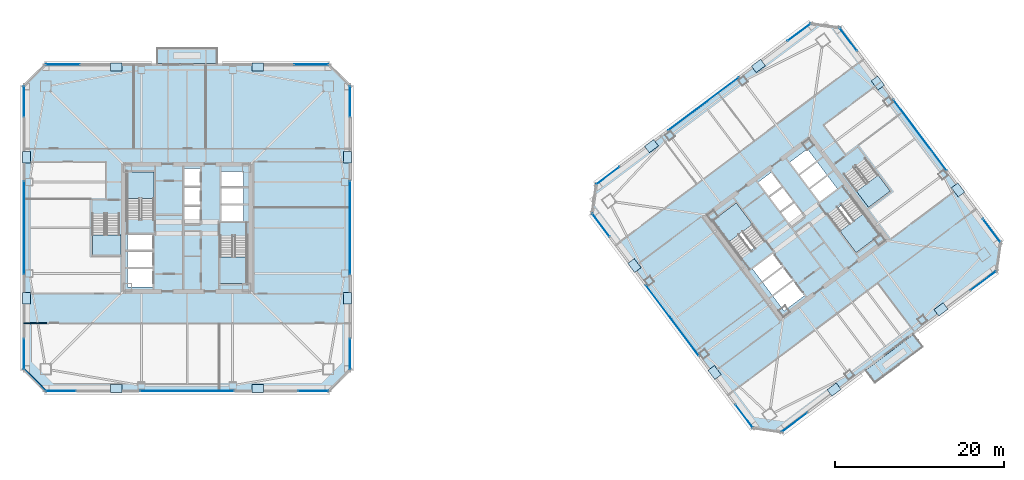
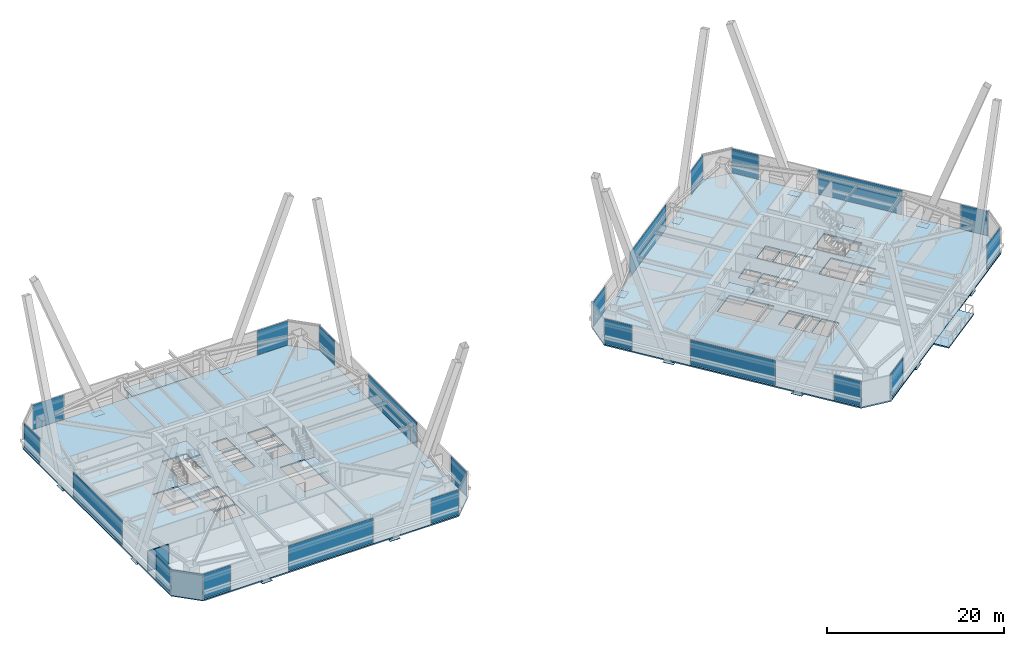
# One storey, part 43 of 54: 38 plates, 10 slabs, 2 walls, 28 elements without a shape of their own.
"""IFC4 building model written with IfcOpenShell, lengths in metres."""

from ifc_helpers import new_model, si_unit, direction, frame, frame_2d, origin, origin_2d, place, context, subcontext, project, spatial, polyline, rectangle, outline, extrude, material, layer, layer_set, type_object, element, aggregate, save


model = new_model("IFC4")

# Units and contexts
model_context = context("Model", 3, precision=1e-05, world=origin(), true_north=direction((0.0, 1.0)))
body_context = subcontext(model_context, "Body", "Model", "MODEL_VIEW")
ifc_project = project(units=[si_unit("LENGTHUNIT", "METRE"), si_unit("AREAUNIT", "SQUARE_METRE"), si_unit("VOLUMEUNIT", "CUBIC_METRE"), si_unit("PLANEANGLEUNIT", "RADIAN"), si_unit("MASSUNIT", "GRAM", prefix="KILO")], contexts=[model_context])

# Site, building, storey
site_placement = place(None, origin())
site = spatial("IfcSite", under=ifc_project, at=site_placement, CompositionType="ELEMENT")
building_placement = place(site_placement, origin())
building = spatial("IfcBuilding", under=site, at=building_placement, Name="Tashvorn Skyway Center", CompositionType="ELEMENT")
storey_placement = place(building_placement, frame((0.0, 0.0, 135.699951171875)))
storey = spatial("IfcBuildingStorey", under=building, at=storey_placement, Name="L36", CompositionType="ELEMENT", Elevation=135.699951171875)

# Curtain wall, plate
ifc_material_1 = material(Name="Thermally broken bronze-anodized aluminium 6063-T6", Category="aluminium")
curtain_wall_type = type_object("IfcCurtainWallType", Name="CW-CW-Z3", PredefinedType="NOTDEFINED", material=ifc_material_1)
curtain_wall_1_placement = place(storey_placement, origin())
curtain_wall_1 = element("IfcCurtainWall", 1, at=curtain_wall_1_placement, inside=storey, type_object=curtain_wall_type, Name="Tower 1 L36 South Unitised Curtain Wall Glazing Group 1", PredefinedType="NOTDEFINED")
ifc_material_2 = material(Name="Low-E solar-control double insulating safety glass", Category="glass")
ifc_layer_1 = layer(ifc_material_2, 0.0400390625)
ifc_layer_set_1 = layer_set([ifc_layer_1], Name="Low-E solar-control double insulating safety glass")
plate_type_1 = type_object("IfcPlateType", Name="CWP-CW-Z3", PredefinedType="CURTAIN_PANEL", material=ifc_layer_set_1)
plate_1_placement = place(storey_placement, frame((56.91552734375, 12.719970703125, 0.0751953125), z_axis=(0.0, 0.0, 1.0), x_axis=(-1.0, 0.0, 0.0)))
plate_1 = element("IfcPlate", 2, at=plate_1_placement, type_object=plate_type_1, Name="CW-Z3 panel 1.1", PredefinedType="CURTAIN_PANEL", context=body_context, shape_type="SweptSolid", body=[
    extrude(rectangle(XDim=3.578857421875, YDim=0.0400390625, at=origin_2d()), origin(), (0.0, 0.0, 1.0), 3.39990234375),
])
aggregate(curtain_wall_1, [plate_1])

curtain_wall_2_placement = place(storey_placement, origin())
curtain_wall_2 = element("IfcCurtainWall", 3, at=curtain_wall_2_placement, inside=storey, type_object=curtain_wall_type, Name="Tower 1 L36 South Unitised Curtain Wall Glazing Group 2", PredefinedType="NOTDEFINED")
plate_2_placement = place(storey_placement, frame((42.0, 12.719970703125, 0.0751953125), z_axis=(0.0, 0.0, 1.0), x_axis=(-1.0, 0.0, 0.0)))
plate_2 = element("IfcPlate", 4, at=plate_2_placement, type_object=plate_type_1, Name="CW-Z3 panel 1.1", PredefinedType="CURTAIN_PANEL", context=body_context, shape_type="SweptSolid", body=[
    extrude(rectangle(XDim=11.03662109375, YDim=0.0400390625, at=origin_2d()), origin(), (0.0, 0.0, 1.0), 3.39990234375),
])
aggregate(curtain_wall_2, [plate_2])

curtain_wall_3_placement = place(storey_placement, origin())
curtain_wall_3 = element("IfcCurtainWall", 5, at=curtain_wall_3_placement, inside=storey, type_object=curtain_wall_type, Name="Tower 1 L36 South Unitised Curtain Wall Glazing Group 3", PredefinedType="NOTDEFINED")
plate_3_placement = place(storey_placement, frame((27.08447265625, 12.719970703125, 0.0751953125), z_axis=(0.0, 0.0, 1.0), x_axis=(-1.0, 0.0, 0.0)))
plate_3 = element("IfcPlate", 6, at=plate_3_placement, type_object=plate_type_1, Name="CW-Z3 panel 1.1", PredefinedType="CURTAIN_PANEL", context=body_context, shape_type="SweptSolid", body=[
    extrude(rectangle(XDim=3.578857421875, YDim=0.0400390625, at=origin_2d()), origin(), (0.0, 0.0, 1.0), 3.39990234375),
])
aggregate(curtain_wall_3, [plate_3])

curtain_wall_4_placement = place(storey_placement, origin())
curtain_wall_4 = element("IfcCurtainWall", 7, at=curtain_wall_4_placement, inside=storey, type_object=curtain_wall_type, Name="Tower 1 L36 West Unitised Curtain Wall Glazing Group 1", PredefinedType="NOTDEFINED")
plate_4_placement = place(storey_placement, frame((22.719970703125, 17.08447265625, 0.0751953125), z_axis=(0.0, 0.0, 1.0), x_axis=(0.0, 1.0, 0.0)))
plate_4 = element("IfcPlate", 8, at=plate_4_placement, type_object=plate_type_1, Name="CW-Z3 panel 1.1", PredefinedType="CURTAIN_PANEL", context=body_context, shape_type="SweptSolid", body=[
    extrude(rectangle(XDim=3.578857421875, YDim=0.0400390625, at=origin_2d()), origin(), (0.0, 0.0, 1.0), 3.39990234375),
])
aggregate(curtain_wall_4, [plate_4])

curtain_wall_5_placement = place(storey_placement, origin())
curtain_wall_5 = element("IfcCurtainWall", 9, at=curtain_wall_5_placement, inside=storey, type_object=curtain_wall_type, Name="Tower 1 L36 West Unitised Curtain Wall Glazing Group 2", PredefinedType="NOTDEFINED")
plate_5_placement = place(storey_placement, frame((22.719970703125, 32.0, 0.0751953125), z_axis=(0.0, 0.0, 1.0), x_axis=(0.0, 1.0, 0.0)))
plate_5 = element("IfcPlate", 10, at=plate_5_placement, type_object=plate_type_1, Name="CW-Z3 panel 1.1", PredefinedType="CURTAIN_PANEL", context=body_context, shape_type="SweptSolid", body=[
    extrude(rectangle(XDim=11.03662109375, YDim=0.0400390625, at=origin_2d()), origin(), (0.0, 0.0, 1.0), 3.39990234375),
])
aggregate(curtain_wall_5, [plate_5])

curtain_wall_6_placement = place(storey_placement, origin())
curtain_wall_6 = element("IfcCurtainWall", 11, at=curtain_wall_6_placement, inside=storey, type_object=curtain_wall_type, Name="Tower 1 L36 West Unitised Curtain Wall Glazing Group 3", PredefinedType="NOTDEFINED")
plate_6_placement = place(storey_placement, frame((22.719970703125, 46.91552734375, 0.0751953125), z_axis=(0.0, 0.0, 1.0), x_axis=(0.0, 1.0, 0.0)))
plate_6 = element("IfcPlate", 12, at=plate_6_placement, type_object=plate_type_1, Name="CW-Z3 panel 1.1", PredefinedType="CURTAIN_PANEL", context=body_context, shape_type="SweptSolid", body=[
    extrude(rectangle(XDim=3.578857421875, YDim=0.0400390625, at=origin_2d()), origin(), (0.0, 0.0, 1.0), 3.39990234375),
])
aggregate(curtain_wall_6, [plate_6])

curtain_wall_7_placement = place(storey_placement, origin())
curtain_wall_7 = element("IfcCurtainWall", 13, at=curtain_wall_7_placement, inside=storey, type_object=curtain_wall_type, Name="Tower 1 L36 North Curtain Wall L Glazing Group 1", PredefinedType="NOTDEFINED")
plate_7_placement = place(storey_placement, frame((27.308349609375, 51.280029296875, 0.0751953125), z_axis=(0.0, 0.0, 1.0), x_axis=(1.0, 0.0, 0.0)))
plate_7 = element("IfcPlate", 14, at=plate_7_placement, type_object=plate_type_1, Name="CW-Z3 panel 1.1", PredefinedType="CURTAIN_PANEL", context=body_context, shape_type="SweptSolid", body=[
    extrude(rectangle(XDim=4.026611328125, YDim=0.0400390625, at=origin_2d()), origin(), (0.0, 0.0, 1.0), 3.39990234375),
])
aggregate(curtain_wall_7, [plate_7])

curtain_wall_8_placement = place(storey_placement, origin())
curtain_wall_8 = element("IfcCurtainWall", 15, at=curtain_wall_8_placement, inside=storey, type_object=curtain_wall_type, Name="Tower 1 L36 North Curtain Wall R Glazing Group 1", PredefinedType="NOTDEFINED")
plate_8_placement = place(storey_placement, frame((56.691650390625, 51.280029296875, 0.0751953125), z_axis=(0.0, 0.0, 1.0), x_axis=(1.0, 0.0, 0.0)))
plate_8 = element("IfcPlate", 16, at=plate_8_placement, type_object=plate_type_1, Name="CW-Z3 panel 1.1", PredefinedType="CURTAIN_PANEL", context=body_context, shape_type="SweptSolid", body=[
    extrude(rectangle(XDim=4.026611328125, YDim=0.0400390625, at=origin_2d()), origin(), (0.0, 0.0, 1.0), 3.39990234375),
])
aggregate(curtain_wall_8, [plate_8])

curtain_wall_9_placement = place(storey_placement, origin())
curtain_wall_9 = element("IfcCurtainWall", 17, at=curtain_wall_9_placement, inside=storey, type_object=curtain_wall_type, Name="Tower 1 L36 East Unitised Curtain Wall Glazing Group 1", PredefinedType="NOTDEFINED")
plate_9_placement = place(storey_placement, frame((61.280029296875, 46.91552734375, 0.0751953125), z_axis=(0.0, 0.0, 1.0), x_axis=(0.0, -1.0, 0.0)))
plate_9 = element("IfcPlate", 18, at=plate_9_placement, type_object=plate_type_1, Name="CW-Z3 panel 1.1", PredefinedType="CURTAIN_PANEL", context=body_context, shape_type="SweptSolid", body=[
    extrude(rectangle(XDim=3.578857421875, YDim=0.0400390625, at=origin_2d()), origin(), (0.0, 0.0, 1.0), 3.39990234375),
])
aggregate(curtain_wall_9, [plate_9])

curtain_wall_10_placement = place(storey_placement, origin())
curtain_wall_10 = element("IfcCurtainWall", 19, at=curtain_wall_10_placement, inside=storey, type_object=curtain_wall_type, Name="Tower 1 L36 East Unitised Curtain Wall Glazing Group 2", PredefinedType="NOTDEFINED")
plate_10_placement = place(storey_placement, frame((61.280029296875, 32.0, 0.0751953125), z_axis=(0.0, 0.0, 1.0), x_axis=(0.0, -1.0, 0.0)))
plate_10 = element("IfcPlate", 20, at=plate_10_placement, type_object=plate_type_1, Name="CW-Z3 panel 1.1", PredefinedType="CURTAIN_PANEL", context=body_context, shape_type="SweptSolid", body=[
    extrude(rectangle(XDim=11.03662109375, YDim=0.0400390625, at=origin_2d()), origin(), (0.0, 0.0, 1.0), 3.39990234375),
])
aggregate(curtain_wall_10, [plate_10])

curtain_wall_11_placement = place(storey_placement, origin())
curtain_wall_11 = element("IfcCurtainWall", 21, at=curtain_wall_11_placement, inside=storey, type_object=curtain_wall_type, Name="Tower 1 L36 East Unitised Curtain Wall Glazing Group 3", PredefinedType="NOTDEFINED")
plate_11_placement = place(storey_placement, frame((61.280029296875, 17.08447265625, 0.0751953125), z_axis=(0.0, 0.0, 1.0), x_axis=(0.0, -1.0, 0.0)))
plate_11 = element("IfcPlate", 22, at=plate_11_placement, type_object=plate_type_1, Name="CW-Z3 panel 1.1", PredefinedType="CURTAIN_PANEL", context=body_context, shape_type="SweptSolid", body=[
    extrude(rectangle(XDim=3.578857421875, YDim=0.0400390625, at=origin_2d()), origin(), (0.0, 0.0, 1.0), 3.39990234375),
])
aggregate(curtain_wall_11, [plate_11])

curtain_wall_12_placement = place(storey_placement, origin())
curtain_wall_12 = element("IfcCurtainWall", 23, at=curtain_wall_12_placement, inside=storey, type_object=curtain_wall_type, Name="Tower 2 L36 South Curtain Wall L Glazing Group 1", PredefinedType="NOTDEFINED")
plate_12_placement = place(storey_placement, frame((136.121337890625, 25.740966796875, 0.0751953125), z_axis=(0.0, 0.0, 1.0), x_axis=(-0.799996904524, -0.600004127279, 0.0)))
plate_12 = element("IfcPlate", 24, at=plate_12_placement, type_object=plate_type_1, Name="CW-Z3 panel 1.1", PredefinedType="CURTAIN_PANEL", context=body_context, shape_type="SweptSolid", body=[
    extrude(rectangle(XDim=3.7265625, YDim=0.0400390625, at=origin_2d()), origin(), (0.0, 0.0, 1.0), 3.39990234375),
])
aggregate(curtain_wall_12, [plate_12])

curtain_wall_13_placement = place(storey_placement, origin())
curtain_wall_13 = element("IfcCurtainWall", 25, at=curtain_wall_13_placement, inside=storey, type_object=curtain_wall_type, Name="Tower 2 L36 South Curtain Wall R Glazing Group 1", PredefinedType="NOTDEFINED")
plate_13_placement = place(storey_placement, frame((113.814697265625, 9.010986328125, 0.0751953125), z_axis=(0.0, 0.0, 1.0), x_axis=(-0.799996904524, -0.600004127279, 0.0)))
plate_13 = element("IfcPlate", 26, at=plate_13_placement, type_object=plate_type_1, Name="CW-Z3 panel 1.1", PredefinedType="CURTAIN_PANEL", context=body_context, shape_type="SweptSolid", body=[
    extrude(rectangle(XDim=3.7265625, YDim=0.0400390625, at=origin_2d()), origin(), (0.0, 0.0, 1.0), 3.39990234375),
])
aggregate(curtain_wall_13, [plate_13])

curtain_wall_14_placement = place(storey_placement, origin())
curtain_wall_14 = element("IfcCurtainWall", 27, at=curtain_wall_14_placement, inside=storey, type_object=curtain_wall_type, Name="Tower 2 L36 West Unitised Curtain Wall Glazing Group 1", PredefinedType="NOTDEFINED")
plate_14_placement = place(storey_placement, frame((107.845458984375, 9.739501953125, 0.0751953125), z_axis=(0.0, 0.0, 1.0), x_axis=(-0.599995465948, 0.800003400519, 0.0)))
plate_14 = element("IfcPlate", 28, at=plate_14_placement, type_object=plate_type_1, Name="CW-Z3 panel 1.1", PredefinedType="CURTAIN_PANEL", context=body_context, shape_type="SweptSolid", body=[
    extrude(rectangle(XDim=3.37890625, YDim=0.0400390625, at=origin_2d()), origin(), (0.0, 0.0, 1.0), 3.39990234375),
])
aggregate(curtain_wall_14, [plate_14])

curtain_wall_15_placement = place(storey_placement, origin())
curtain_wall_15 = element("IfcCurtainWall", 29, at=curtain_wall_15_placement, inside=storey, type_object=curtain_wall_type, Name="Tower 2 L36 West Unitised Curtain Wall Glazing Group 2", PredefinedType="NOTDEFINED")
plate_15_placement = place(storey_placement, frame((99.3759765625, 21.031982421875, 0.0751953125), z_axis=(0.0, 0.0, 1.0), x_axis=(-0.599996977339, 0.800002266987, 0.0)))
plate_15 = element("IfcPlate", 30, at=plate_15_placement, type_object=plate_type_1, Name="CW-Z3 panel 1.1", PredefinedType="CURTAIN_PANEL", context=body_context, shape_type="SweptSolid", body=[
    extrude(rectangle(XDim=10.436767578125, YDim=0.0400390625, at=origin_2d()), origin(), (0.0, 0.0, 1.0), 3.39990234375),
])
aggregate(curtain_wall_15, [plate_15])

curtain_wall_16_placement = place(storey_placement, origin())
curtain_wall_16 = element("IfcCurtainWall", 31, at=curtain_wall_16_placement, inside=storey, type_object=curtain_wall_type, Name="Tower 2 L36 West Unitised Curtain Wall Glazing Group 3", PredefinedType="NOTDEFINED")
plate_16_placement = place(storey_placement, frame((90.90673828125, 32.324462890625, 0.0751953125), z_axis=(0.0, 0.0, 1.0), x_axis=(-0.599995465948, 0.800003400519, 0.0)))
plate_16 = element("IfcPlate", 32, at=plate_16_placement, type_object=plate_type_1, Name="CW-Z3 panel 1.1", PredefinedType="CURTAIN_PANEL", context=body_context, shape_type="SweptSolid", body=[
    extrude(rectangle(XDim=3.37890625, YDim=0.0400390625, at=origin_2d()), origin(), (0.0, 0.0, 1.0), 3.39990234375),
])
aggregate(curtain_wall_16, [plate_16])

curtain_wall_17_placement = place(storey_placement, origin())
curtain_wall_17 = element("IfcCurtainWall", 33, at=curtain_wall_17_placement, inside=storey, type_object=curtain_wall_type, Name="Tower 2 L36 North Unitised Curtain Wall Glazing Group 1", PredefinedType="NOTDEFINED")
plate_17_placement = place(storey_placement, frame((91.739501953125, 38.154541015625, 0.0751953125), z_axis=(0.0, 0.0, 1.0), x_axis=(0.800003400519, 0.599995465948, 0.0)))
plate_17 = element("IfcPlate", 34, at=plate_17_placement, type_object=plate_type_1, Name="CW-Z3 panel 1.1", PredefinedType="CURTAIN_PANEL", context=body_context, shape_type="SweptSolid", body=[
    extrude(rectangle(XDim=3.37890625, YDim=0.0400390625, at=origin_2d()), origin(), (0.0, 0.0, 1.0), 3.39990234375),
])
aggregate(curtain_wall_17, [plate_17])

curtain_wall_18_placement = place(storey_placement, origin())
curtain_wall_18 = element("IfcCurtainWall", 35, at=curtain_wall_18_placement, inside=storey, type_object=curtain_wall_type, Name="Tower 2 L36 North Unitised Curtain Wall Glazing Group 2", PredefinedType="NOTDEFINED")
plate_18_placement = place(storey_placement, frame((103.031982421875, 46.6240234375, 0.0751953125), z_axis=(0.0, 0.0, 1.0), x_axis=(0.800002266987, 0.599996977339, 0.0)))
plate_18 = element("IfcPlate", 36, at=plate_18_placement, type_object=plate_type_1, Name="CW-Z3 panel 1.1", PredefinedType="CURTAIN_PANEL", context=body_context, shape_type="SweptSolid", body=[
    extrude(rectangle(XDim=10.436767578125, YDim=0.0400390625, at=origin_2d()), origin(), (0.0, 0.0, 1.0), 3.39990234375),
])
aggregate(curtain_wall_18, [plate_18])

curtain_wall_19_placement = place(storey_placement, origin())
curtain_wall_19 = element("IfcCurtainWall", 37, at=curtain_wall_19_placement, inside=storey, type_object=curtain_wall_type, Name="Tower 2 L36 North Unitised Curtain Wall Glazing Group 3", PredefinedType="NOTDEFINED")
plate_19_placement = place(storey_placement, frame((114.324462890625, 55.09326171875, 0.0751953125), z_axis=(0.0, 0.0, 1.0), x_axis=(0.800003400519, 0.599995465948, 0.0)))
plate_19 = element("IfcPlate", 38, at=plate_19_placement, type_object=plate_type_1, Name="CW-Z3 panel 1.1", PredefinedType="CURTAIN_PANEL", context=body_context, shape_type="SweptSolid", body=[
    extrude(rectangle(XDim=3.37890625, YDim=0.0400390625, at=origin_2d()), origin(), (0.0, 0.0, 1.0), 3.39990234375),
])
aggregate(curtain_wall_19, [plate_19])

curtain_wall_20_placement = place(storey_placement, origin())
curtain_wall_20 = element("IfcCurtainWall", 39, at=curtain_wall_20_placement, inside=storey, type_object=curtain_wall_type, Name="Tower 2 L36 East Unitised Curtain Wall Glazing Group 1", PredefinedType="NOTDEFINED")
plate_20_placement = place(storey_placement, frame((120.154541015625, 54.260498046875, 0.0751953125), z_axis=(0.0, 0.0, 1.0), x_axis=(0.599995465948, -0.800003400519, 0.0)))
plate_20 = element("IfcPlate", 40, at=plate_20_placement, type_object=plate_type_1, Name="CW-Z3 panel 1.1", PredefinedType="CURTAIN_PANEL", context=body_context, shape_type="SweptSolid", body=[
    extrude(rectangle(XDim=3.37890625, YDim=0.0400390625, at=origin_2d()), origin(), (0.0, 0.0, 1.0), 3.39990234375),
])
aggregate(curtain_wall_20, [plate_20])

curtain_wall_21_placement = place(storey_placement, origin())
curtain_wall_21 = element("IfcCurtainWall", 41, at=curtain_wall_21_placement, inside=storey, type_object=curtain_wall_type, Name="Tower 2 L36 East Unitised Curtain Wall Glazing Group 2", PredefinedType="NOTDEFINED")
plate_21_placement = place(storey_placement, frame((128.6240234375, 42.968017578125, 0.0751953125), z_axis=(0.0, 0.0, 1.0), x_axis=(0.599996977339, -0.800002266987, 0.0)))
plate_21 = element("IfcPlate", 42, at=plate_21_placement, type_object=plate_type_1, Name="CW-Z3 panel 1.1", PredefinedType="CURTAIN_PANEL", context=body_context, shape_type="SweptSolid", body=[
    extrude(rectangle(XDim=10.436767578125, YDim=0.0400390625, at=origin_2d()), origin(), (0.0, 0.0, 1.0), 3.39990234375),
])
aggregate(curtain_wall_21, [plate_21])

curtain_wall_22_placement = place(storey_placement, origin())
curtain_wall_22 = element("IfcCurtainWall", 43, at=curtain_wall_22_placement, inside=storey, type_object=curtain_wall_type, Name="Tower 2 L36 East Unitised Curtain Wall Glazing Group 3", PredefinedType="NOTDEFINED")
plate_22_placement = place(storey_placement, frame((137.09326171875, 31.675537109375, 0.0751953125), z_axis=(0.0, 0.0, 1.0), x_axis=(0.599995465948, -0.800003400519, 0.0)))
plate_22 = element("IfcPlate", 44, at=plate_22_placement, type_object=plate_type_1, Name="CW-Z3 panel 1.1", PredefinedType="CURTAIN_PANEL", context=body_context, shape_type="SweptSolid", body=[
    extrude(rectangle(XDim=3.37890625, YDim=0.0400390625, at=origin_2d()), origin(), (0.0, 0.0, 1.0), 3.39990234375),
])
aggregate(curtain_wall_22, [plate_22])

# Plates
ifc_material_3 = material(Name="Steel ASTM A572 Grade 50", Category="steel")
ifc_layer_2 = layer(ifc_material_3, 0.044921875)
ifc_layer_set_2 = layer_set([ifc_layer_2], Name="Steel ASTM A572 Grade 50")
plate_type_2 = type_object("IfcPlateType", Name="PLT-GUSSET-45", PredefinedType="USERDEFINED", material=ifc_layer_set_2)
for number, where, z_axis, x_axis, name in (
    (45, (33.64990234375, 13.02001953125, -0.472412109375), (0.0, 0.0, 1.0), (1.0, 0.0, 0.0), "Tower 1 Zone 3 S Mid-Chevron Node Gusset L"),
    (46, (50.35009765625, 13.02001953125, -0.472412109375), (0.0, 0.0, 1.0), (1.0, 0.0, 0.0), "Tower 1 Zone 3 S Mid-Chevron Node Gusset R"),
    (47, (60.97998046875, 23.64990234375, -0.472412109375), (0.0, 0.0, 1.0), (0.0, 1.0, 0.0), "Tower 1 Zone 3 E Mid-Chevron Node Gusset L"),
    (48, (60.97998046875, 40.35009765625, -0.472412109375), (0.0, 0.0, 1.0), (0.0, 1.0, 0.0), "Tower 1 Zone 3 E Mid-Chevron Node Gusset R"),
    (49, (50.35009765625, 50.97998046875, -0.472412109375), (0.0, 0.0, 1.0), (-1.0, 0.0, 0.0), "Tower 1 Zone 3 N Mid-Chevron Node Gusset L"),
    (50, (33.64990234375, 50.97998046875, -0.472412109375), (0.0, 0.0, 1.0), (-1.0, 0.0, 0.0), "Tower 1 Zone 3 N Mid-Chevron Node Gusset R"),
    (51, (23.02001953125, 40.35009765625, -0.472412109375), (0.0, 0.0, 1.0), (0.0, -1.0, 0.0), "Tower 1 Zone 3 W Mid-Chevron Node Gusset L"),
    (52, (23.02001953125, 23.64990234375, -0.472412109375), (0.0, 0.0, 1.0), (0.0, -1.0, 0.0), "Tower 1 Zone 3 W Mid-Chevron Node Gusset R"),
    (53, (118.468017578125, 12.8759765625, -0.472412109375), (0.0, 0.0, 1.0), (0.799999996291, 0.600000004945, 0.0), "Tower 2 Zone 3 S Mid-Chevron Node Gusset L"),
    (54, (131.10791015625, 22.35595703125, -0.472412109375), (0.0, 0.0, 1.0), (0.799999996291, 0.600000004945, 0.0), "Tower 2 Zone 3 S Mid-Chevron Node Gusset R"),
    (55, (133.1240234375, 36.468017578125, -0.472412109375), (0.0, 0.0, 1.0), (-0.600000004945, 0.799999996291, 0.0), "Tower 2 Zone 3 E Mid-Chevron Node Gusset L"),
    (56, (123.64404296875, 49.10791015625, -0.472412109375), (0.0, 0.0, 1.0), (-0.600000004945, 0.799999996291, 0.0), "Tower 2 Zone 3 E Mid-Chevron Node Gusset R"),
    (57, (109.531982421875, 51.1240234375, -0.472412109375), (0.0, 0.0, 1.0), (-0.799999996291, -0.600000004945, 0.0), "Tower 2 Zone 3 N Mid-Chevron Node Gusset L"),
    (58, (96.89208984375, 41.64404296875, -0.472412109375), (0.0, 0.0, 1.0), (-0.799999996291, -0.600000004945, 0.0), "Tower 2 Zone 3 N Mid-Chevron Node Gusset R"),
    (59, (94.8759765625, 27.531982421875, -0.472412109375), (0.0, 0.0, 1.0), (0.600000004945, -0.799999996291, 0.0), "Tower 2 Zone 3 W Mid-Chevron Node Gusset L"),
    (60, (104.35595703125, 14.89208984375, -0.472412109375), (0.0, 0.0, 1.0), (0.600000004945, -0.799999996291, 0.0), "Tower 2 Zone 3 W Mid-Chevron Node Gusset R"),
):
    element("IfcPlate", number, at=place(storey_placement, frame(where, z_axis=z_axis, x_axis=x_axis)), inside=storey, type_object=plate_type_2, Name=name, ObjectType="GUSSET PLATE", PredefinedType="USERDEFINED", context=body_context, shape_type="SweptSolid", body=[
        extrude(rectangle(XDim=1.35009765625, YDim=0.949951171875, at=origin_2d()), origin(), (0.0, 0.0, 1.0), 0.044921875),
    ])

# Slabs
ifc_material_4 = material(Name="Concrete C40/50", Category="concrete")
ifc_layer_3 = layer(ifc_material_4, 0.179931640625)
ifc_layer_set_3 = layer_set([ifc_layer_3], Name="Concrete C40/50")
slab_type_1 = type_object("IfcSlabType", Name="SLAB-FLR-180", PredefinedType="FLOOR", material=ifc_layer_set_3)
slab_1_placement = place(storey_placement, frame((0.0, 0.0, -0.179931640625)))
element("IfcSlab", 61, at=slab_1_placement, inside=storey, type_object=slab_type_1, Name="Tower 1 L36 Composite Floor Slab", PredefinedType="FLOOR", context=body_context, shape_type="SweptSolid", body=[
    extrude(outline(polyline([(25.300048828125, 12.60009765625), (58.699951171875, 12.60009765625), (61.39990234375, 15.300048828125), (61.39990234375, 48.699951171875), (58.699951171875, 51.39990234375), (25.300048828125, 51.39990234375), (22.60009765625, 48.699951171875), (22.60009765625, 15.300048828125), (25.300048828125, 12.60009765625)]), holes=[polyline([(38.10009765625, 33.080078125), (38.10009765625, 38.60009765625), (34.89990234375, 38.60009765625), (34.89990234375, 33.080078125), (38.10009765625, 33.080078125)]), polyline([(45.89990234375, 30.919921875), (45.89990234375, 25.39990234375), (49.10009765625, 25.39990234375), (49.10009765625, 30.919921875), (45.89990234375, 30.919921875)]), polyline([(30.800048828125, 33.52001953125), (30.800048828125, 28.800048828125), (34.0, 28.800048828125), (34.0, 33.52001953125), (30.800048828125, 33.52001953125)]), polyline([(34.949951171875, 29.35009765625), (37.949951171875, 29.35009765625), (37.949951171875, 31.199951171875), (34.949951171875, 31.199951171875), (34.949951171875, 29.35009765625)]), polyline([(34.949951171875, 27.35009765625), (37.949951171875, 27.35009765625), (37.949951171875, 29.199951171875), (34.949951171875, 29.199951171875), (34.949951171875, 27.35009765625)]), polyline([(34.949951171875, 25.0), (37.949951171875, 25.0), (37.949951171875, 27.14990234375), (34.949951171875, 27.14990234375), (34.949951171875, 25.0)]), polyline([(41.64990234375, 32.449951171875), (43.550048828125, 32.449951171875), (43.550048828125, 34.5), (41.64990234375, 34.5), (41.64990234375, 32.449951171875)]), polyline([(41.64990234375, 34.699951171875), (43.550048828125, 34.699951171875), (43.550048828125, 36.75), (41.64990234375, 36.75), (41.64990234375, 34.699951171875)]), polyline([(41.64990234375, 36.949951171875), (43.550048828125, 36.949951171875), (43.550048828125, 39.0), (41.64990234375, 39.0), (41.64990234375, 36.949951171875)]), polyline([(46.050048828125, 32.800048828125), (48.64990234375, 32.800048828125), (48.64990234375, 34.64990234375), (46.050048828125, 34.64990234375), (46.050048828125, 32.800048828125)]), polyline([(46.050048828125, 34.85009765625), (48.64990234375, 34.85009765625), (48.64990234375, 36.699951171875), (46.050048828125, 36.699951171875), (46.050048828125, 34.85009765625)]), polyline([(46.050048828125, 36.89990234375), (48.64990234375, 36.89990234375), (48.64990234375, 38.64990234375), (46.050048828125, 38.64990234375), (46.050048828125, 36.89990234375)])]), origin(), (0.0, 0.0, 1.0), 0.179931640625),
])
slab_2_placement = place(storey_placement, frame((0.0, 0.0, -0.179931640625)))
element("IfcSlab", 62, at=slab_2_placement, inside=storey, type_object=slab_type_1, Name="Tower 2 L36 Composite Floor Slab", PredefinedType="FLOOR", context=body_context, shape_type="SweptSolid", body=[
    extrude(outline(polyline([(112.39990234375, 7.800048828125), (137.679931640625, 26.760009765625), (138.199951171875, 30.39990234375), (119.239990234375, 55.679931640625), (115.60009765625, 56.199951171875), (90.320068359375, 37.239990234375), (89.800048828125, 33.60009765625), (108.760009765625, 8.320068359375), (112.39990234375, 7.800048828125)]), holes=[polyline([(110.23193359375, 30.52392578125), (106.919921875, 34.93994140625), (104.135986328125, 32.85205078125), (107.447998046875, 28.43603515625), (110.23193359375, 30.52392578125)]), polyline([(117.76806640625, 33.47607421875), (121.080078125, 29.06005859375), (123.864013671875, 31.14794921875), (120.552001953125, 35.56396484375), (117.76806640625, 33.47607421875)]), polyline([(119.7119140625, 38.18408203125), (122.5439453125, 34.407958984375), (125.10400390625, 36.327880859375), (122.27197265625, 40.10400390625), (119.7119140625, 38.18408203125)]), polyline([(109.949951171875, 25.64990234375), (112.35009765625, 27.449951171875), (111.239990234375, 28.929931640625), (108.840087890625, 27.1298828125), (109.949951171875, 25.64990234375)]), polyline([(111.14990234375, 24.050048828125), (113.550048828125, 25.85009765625), (112.43994140625, 27.330078125), (110.0400390625, 25.530029296875), (111.14990234375, 24.050048828125)]), polyline([(112.56005859375, 22.169921875), (114.9599609375, 23.969970703125), (113.669921875, 25.68994140625), (111.27001953125, 23.889892578125), (112.56005859375, 22.169921875)]), polyline([(113.449951171875, 32.14990234375), (114.969970703125, 33.2900390625), (113.739990234375, 34.929931640625), (112.219970703125, 33.7900390625), (113.449951171875, 32.14990234375)]), polyline([(112.10009765625, 33.949951171875), (113.6201171875, 35.090087890625), (112.389892578125, 36.72998046875), (110.8701171875, 35.590087890625), (112.10009765625, 33.949951171875)]), polyline([(110.75, 35.75), (112.27001953125, 36.889892578125), (111.0400390625, 38.530029296875), (109.52001953125, 37.389892578125), (110.75, 35.75)]), polyline([(116.760009765625, 35.070068359375), (118.840087890625, 36.6298828125), (117.72998046875, 38.110107421875), (115.64990234375, 36.550048828125), (116.760009765625, 35.070068359375)]), polyline([(115.530029296875, 36.7099609375), (117.610107421875, 38.27001953125), (116.5, 39.75), (114.419921875, 38.18994140625), (115.530029296875, 36.7099609375)]), polyline([(114.300048828125, 38.35009765625), (116.3798828125, 39.909912109375), (115.330078125, 41.31005859375), (113.25, 39.75), (114.300048828125, 38.35009765625)])]), origin(), (0.0, 0.0, 1.0), 0.179931640625),
])

# Stair, slab
stair_type = type_object("IfcStairType", Name="STAIR-CORE-1500", PredefinedType="HALF_TURN_STAIR", material=ifc_material_4)
stair_1_placement = place(storey_placement, origin())
stair_1 = element("IfcStair", 63, at=stair_1_placement, inside=storey, type_object=stair_type, Name="L36 Tower 1 Exit Stair 1", PredefinedType="HALF_TURN_STAIR")
ifc_layer_4 = layer(ifc_material_4, 0.199951171875)
ifc_layer_set_4 = layer_set([ifc_layer_4], Name="Concrete C40/50")
slab_type_2 = type_object("IfcSlabType", Name="SLAB-LAND-200", PredefinedType="LANDING", material=ifc_layer_set_4)
slab_3_placement = place(storey_placement, frame((0.0, 0.0, 1.574951171875)))
slab_3 = element("IfcSlab", 64, at=slab_3_placement, type_object=slab_type_2, Name="ST-T1-1 landing 1", PredefinedType="LANDING", context=body_context, shape_type="SweptSolid", body=[
    extrude(outline(polyline([(38.10009765625, 35.43994140625), (38.10009765625, 38.60009765625), (34.89990234375, 38.60009765625), (34.89990234375, 35.43994140625), (38.10009765625, 35.43994140625)])), origin(), (0.0, 0.0, 1.0), 0.2001953125),
])
aggregate(stair_1, [slab_3])

stair_2_placement = place(storey_placement, origin())
stair_2 = element("IfcStair", 65, at=stair_2_placement, inside=storey, type_object=stair_type, Name="L36 Tower 1 Exit Stair 2", PredefinedType="HALF_TURN_STAIR")
slab_4_placement = place(storey_placement, frame((0.0, 0.0, 1.574951171875)))
slab_4 = element("IfcSlab", 66, at=slab_4_placement, type_object=slab_type_2, Name="ST-T1-2 landing 1", PredefinedType="LANDING", context=body_context, shape_type="SweptSolid", body=[
    extrude(outline(polyline([(45.89990234375, 28.56005859375), (45.89990234375, 25.39990234375), (49.10009765625, 25.39990234375), (49.10009765625, 28.56005859375), (45.89990234375, 28.56005859375)])), origin(), (0.0, 0.0, 1.0), 0.2001953125),
])
aggregate(stair_2, [slab_4])

stair_3_placement = place(storey_placement, origin())
stair_3 = element("IfcStair", 67, at=stair_3_placement, inside=storey, type_object=stair_type, Name="L36 Tower 2 Exit Stair 1", PredefinedType="HALF_TURN_STAIR")
slab_5_placement = place(storey_placement, frame((0.0, 0.0, 1.574951171875)))
slab_5 = element("IfcSlab", 68, at=slab_5_placement, type_object=slab_type_2, Name="ST-T2-1 landing 1", PredefinedType="LANDING", context=body_context, shape_type="SweptSolid", body=[
    extrude(outline(polyline([(108.82080078125, 32.405517578125), (106.919921875, 34.93994140625), (104.135986328125, 32.85205078125), (106.036865234375, 30.317626953125), (108.82080078125, 32.405517578125)])), origin(), (0.0, 0.0, 1.0), 0.2001953125),
])
aggregate(stair_3, [slab_5])

stair_4_placement = place(storey_placement, origin())
stair_4 = element("IfcStair", 69, at=stair_4_placement, inside=storey, type_object=stair_type, Name="L36 Tower 2 Exit Stair 2", PredefinedType="HALF_TURN_STAIR")
slab_6_placement = place(storey_placement, frame((0.0, 0.0, 1.574951171875)))
slab_6 = element("IfcSlab", 70, at=slab_6_placement, type_object=slab_type_2, Name="ST-T2-2 landing 1", PredefinedType="LANDING", context=body_context, shape_type="SweptSolid", body=[
    extrude(outline(polyline([(119.17919921875, 31.594482421875), (121.080078125, 29.06005859375), (123.864013671875, 31.14794921875), (121.963134765625, 33.682373046875), (119.17919921875, 31.594482421875)])), origin(), (0.0, 0.0, 1.0), 0.2001953125),
])
aggregate(stair_4, [slab_6])

stair_5_placement = place(storey_placement, origin())
stair_5 = element("IfcStair", 71, at=stair_5_placement, inside=storey, type_object=stair_type, Name="L36 Tower 1 Exit Stair 3", PredefinedType="HALF_TURN_STAIR")
slab_7_placement = place(storey_placement, frame((0.0, 0.0, 1.574951171875)))
slab_7 = element("IfcSlab", 72, at=slab_7_placement, type_object=slab_type_2, Name="ST-T1-3 landing 1", PredefinedType="LANDING", context=body_context, shape_type="SweptSolid", body=[
    extrude(outline(polyline([(30.800048828125, 31.159912109375), (30.800048828125, 28.800048828125), (34.199951171875, 28.800048828125), (34.199951171875, 31.159912109375), (30.800048828125, 31.159912109375)])), origin(), (0.0, 0.0, 1.0), 0.2001953125),
])
aggregate(stair_5, [slab_7])

stair_6_placement = place(storey_placement, origin())
stair_6 = element("IfcStair", 73, at=stair_6_placement, inside=storey, type_object=stair_type, Name="L36 Tower 2 Exit Stair 3", PredefinedType="HALF_TURN_STAIR")
slab_8_placement = place(storey_placement, frame((0.0, 0.0, 1.574951171875)))
slab_8 = element("IfcSlab", 74, at=slab_8_placement, type_object=slab_type_2, Name="ST-T2-3 landing 1", PredefinedType="LANDING", context=body_context, shape_type="SweptSolid", body=[
    extrude(outline(polyline([(121.123291015625, 36.302490234375), (122.5439453125, 34.407958984375), (125.10400390625, 36.327880859375), (123.68310546875, 38.222412109375), (121.123291015625, 36.302490234375)])), origin(), (0.0, 0.0, 1.0), 0.2001953125),
])
aggregate(stair_6, [slab_8])

# Slabs
ifc_layer_5 = layer(ifc_material_4, 0.179931640625)
ifc_layer_set_5 = layer_set([ifc_layer_5], Name="Concrete C40/50")
slab_type_3 = type_object("IfcSlabType", Name="SLAB-TERR-200", PredefinedType="FLOOR", material=ifc_layer_set_5)
slab_9_placement = place(storey_placement, frame((0.0, 0.0, -0.179931640625)))
element("IfcSlab", 75, at=slab_9_placement, inside=storey, type_object=slab_type_3, Name="Tower 1 L36 Spiral Planted Terrace Slab", PredefinedType="FLOOR", context=body_context, shape_type="SweptSolid", body=[
    extrude(outline(polyline([(38.39990234375, 51.389892578125), (45.60009765625, 51.389892578125), (45.60009765625, 53.300048828125), (38.39990234375, 53.300048828125), (38.39990234375, 51.389892578125)])), origin(), (0.0, 0.0, 1.0), 0.179931640625),
])
slab_10_placement = place(storey_placement, frame((0.0, 0.0, -0.179931640625)))
element("IfcSlab", 76, at=slab_10_placement, inside=storey, type_object=slab_type_3, Name="Tower 2 L36 Spiral Planted Terrace Slab", PredefinedType="FLOOR", context=body_context, shape_type="SweptSolid", body=[
    extrude(outline(polyline([(123.300048828125, 13.60009765625), (129.06005859375, 17.919921875), (127.9140625, 19.447998046875), (122.154052734375, 15.1279296875), (123.300048828125, 13.60009765625)])), origin(), (0.0, 0.0, 1.0), 0.179931640625),
])

# Walls
ifc_material_5 = material(Name="Precast concrete C40/50", Category="concrete")
ifc_layer_6 = layer(ifc_material_5, 0.280029296875)
ifc_layer_set_6 = layer_set([ifc_layer_6], Name="Precast concrete C40/50")
wall_type_1 = type_object("IfcWallType", Name="WALL-EXT-280", PredefinedType="SOLIDWALL", material=ifc_layer_set_6)
wall_1_placement = place(storey_placement, frame((25.300048828125, 12.699951171875, 0.0), z_axis=(0.0, 0.0, 1.0), x_axis=(-0.707106781187, 0.707106781187, 0.0)))
element("IfcWall", 77, at=wall_1_placement, inside=storey, type_object=wall_type_1, Name="Tower 1 L36 SW Precast Chamfer Wall", PredefinedType="SOLIDWALL", context=body_context, shape_type="SweptSolid", body=[
    extrude(rectangle(XDim=3.677001953125, YDim=0.280029296875, at=frame_2d((1.83837890625, 0.0))), origin(), (0.0, 0.0, 1.0), 3.3701171875),
])
ifc_material_6 = material(Name="Gypsum board on cold-formed steel stud framing", Category="steel")
ifc_layer_7 = layer(ifc_material_6, 0.135009765625)
ifc_layer_set_7 = layer_set([ifc_layer_7], Name="Gypsum board on cold-formed steel stud framing")
wall_type_2 = type_object("IfcWallType", Name="WALL-PART-135", PredefinedType="PARTITIONING", material=ifc_layer_set_7)
wall_2_placement = place(storey_placement, frame((22.719970703125, 20.72998046875, 0.0), z_axis=(0.0, 0.0, 1.0), x_axis=(1.0, 0.0, 0.0)))
element("IfcWall", 78, at=wall_2_placement, inside=storey, type_object=wall_type_2, Name="Tower 1 L36 South-West Suite North Wall", PredefinedType="PARTITIONING", context=body_context, shape_type="SweptSolid", body=[
    extrude(rectangle(XDim=2.72998046875, YDim=0.135009765625, at=frame_2d((1.364990234375, 0.0))), origin(), (0.0, 0.0, 1.0), 2.72314453125),
])

save(model, "model.ifc")
